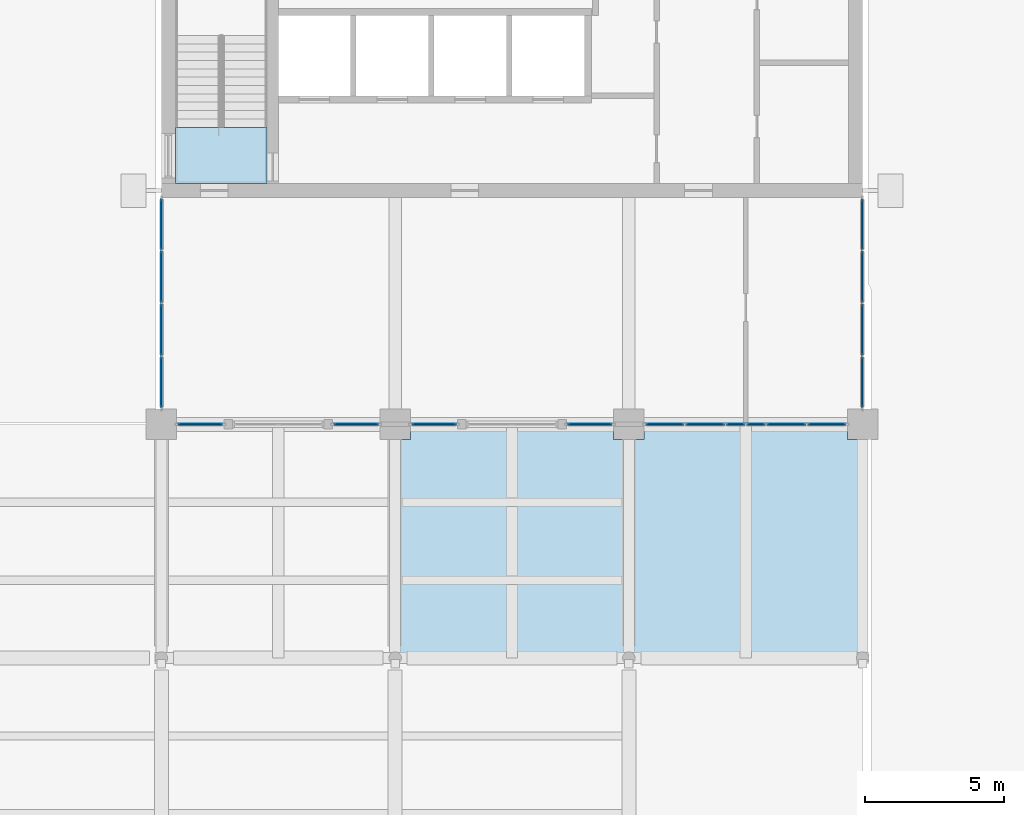
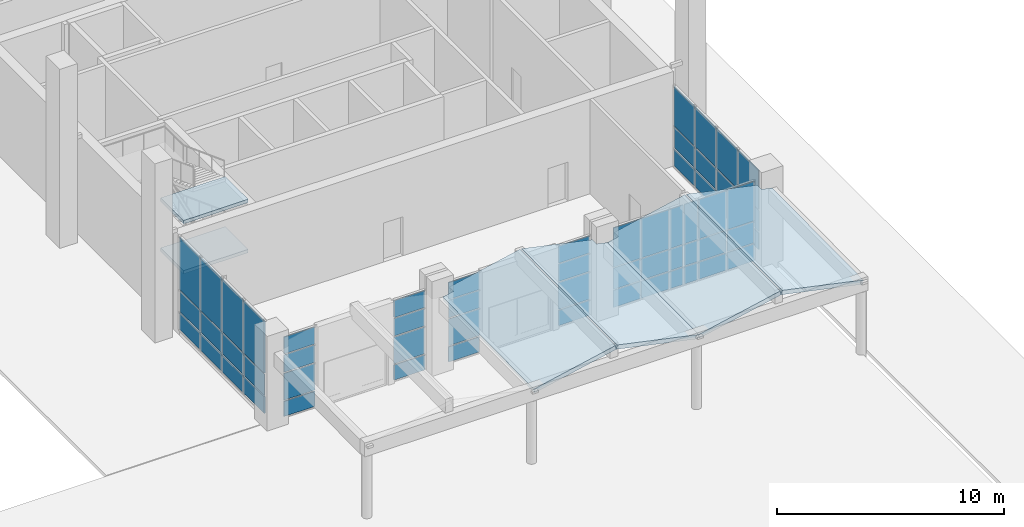
# One storey, part 13 of 74: 58 plates, 6 slabs, 8 elements without a shape of their own.
"""IFC4 building model written with IfcOpenShell, lengths in metres."""

from ifc_helpers import new_model, si_unit, direction, frame, origin, origin_2d, place, context, subcontext, project, spatial, polyline, rectangle, outline, extrude, material, layer, layer_set, type_object, element, aggregate, save


model = new_model("IFC4")

# Units and contexts
model_context = context("Model", 3, precision=1e-05, world=origin(), true_north=direction((0.0, 1.0)))
body_context = subcontext(model_context, "Body", "Model", "MODEL_VIEW")
ifc_project = project(units=[si_unit("LENGTHUNIT", "METRE"), si_unit("AREAUNIT", "SQUARE_METRE"), si_unit("VOLUMEUNIT", "CUBIC_METRE"), si_unit("PLANEANGLEUNIT", "RADIAN"), si_unit("MASSUNIT", "GRAM", prefix="KILO")], contexts=[model_context])

# Site, building, storey
site_placement = place(None, origin())
site = spatial("IfcSite", under=ifc_project, at=site_placement, CompositionType="ELEMENT")
building_placement = place(site_placement, origin())
building = spatial("IfcBuilding", under=site, at=building_placement, Name="Rulbaag Community and Learning Centre", CompositionType="ELEMENT")
storey_placement = place(building_placement, origin())
storey = spatial("IfcBuildingStorey", under=building, at=storey_placement, Name="L00", CompositionType="ELEMENT", Elevation=0.0)

# Curtain wall, plates
ifc_material_1 = material(Name="Aluminium", Category="aluminium")
ifc_layer_1 = layer(ifc_material_1, 0.14990234375)
ifc_layer_set_1 = layer_set([ifc_layer_1], Name="CW-S")
curtain_wall_type_1 = type_object("IfcCurtainWallType", Name="CW-S", PredefinedType="USERDEFINED", material=ifc_layer_set_1)
curtain_wall_1_placement = place(storey_placement, origin())
curtain_wall_1 = element("IfcCurtainWall", 1, at=curtain_wall_1_placement, inside=storey, type_object=curtain_wall_type_1, Name="GS-L00-01", ObjectType="UNITISED CURTAIN WALL", PredefinedType="USERDEFINED")
ifc_layer_2 = layer(ifc_material_1, 0.054931640625)
ifc_layer_set_2 = layer_set([ifc_layer_2], Name="CW-S-SPN")
plate_type_1 = type_object("IfcPlateType", Name="CW-S-SPN", PredefinedType="CURTAIN_PANEL", material=ifc_layer_set_2)
plate_1_placement = place(storey_placement, frame((144.199951171875, 84.0, 0.06005859375), z_axis=(0.0, 0.0, 1.0), x_axis=(1.0, 0.0, 0.0)))
plate_1 = element("IfcPlate", 2, at=plate_1_placement, type_object=plate_type_1, Name="GS spandrel panel", PredefinedType="CURTAIN_PANEL", context=body_context, shape_type="SweptSolid", body=[
    extrude(rectangle(XDim=1.580078125, YDim=0.054931640625, at=origin_2d()), origin(), (0.0, 0.0, 1.0), 0.81005859375),
])
plate_2_placement = place(storey_placement, frame((144.199951171875, 84.0, 3.43017578125), z_axis=(0.0, 0.0, 1.0), x_axis=(1.0, 0.0, 0.0)))
plate_2 = element("IfcPlate", 3, at=plate_2_placement, type_object=plate_type_1, Name="GS spandrel panel", PredefinedType="CURTAIN_PANEL", context=body_context, shape_type="SweptSolid", body=[
    extrude(rectangle(XDim=1.580078125, YDim=0.054931640625, at=origin_2d()), origin(), (0.0, 0.0, 1.0), 0.909912109375),
])

curtain_wall_2_placement = place(storey_placement, origin())
curtain_wall_2 = element("IfcCurtainWall", 4, at=curtain_wall_2_placement, inside=storey, type_object=curtain_wall_type_1, Name="GS-L00-02", ObjectType="UNITISED CURTAIN WALL", PredefinedType="USERDEFINED")
plate_3_placement = place(storey_placement, frame((149.800048828125, 84.0, 0.06005859375), z_axis=(0.0, 0.0, 1.0), x_axis=(1.0, 0.0, 0.0)))
plate_3 = element("IfcPlate", 5, at=plate_3_placement, type_object=plate_type_1, Name="GS spandrel panel", PredefinedType="CURTAIN_PANEL", context=body_context, shape_type="SweptSolid", body=[
    extrude(rectangle(XDim=1.580078125, YDim=0.054931640625, at=origin_2d()), origin(), (0.0, 0.0, 1.0), 0.81005859375),
])
plate_4_placement = place(storey_placement, frame((149.800048828125, 84.0, 3.43017578125), z_axis=(0.0, 0.0, 1.0), x_axis=(1.0, 0.0, 0.0)))
plate_4 = element("IfcPlate", 6, at=plate_4_placement, type_object=plate_type_1, Name="GS spandrel panel", PredefinedType="CURTAIN_PANEL", context=body_context, shape_type="SweptSolid", body=[
    extrude(rectangle(XDim=1.580078125, YDim=0.054931640625, at=origin_2d()), origin(), (0.0, 0.0, 1.0), 0.909912109375),
])

curtain_wall_3_placement = place(storey_placement, origin())
curtain_wall_3 = element("IfcCurtainWall", 7, at=curtain_wall_3_placement, inside=storey, type_object=curtain_wall_type_1, Name="GS-L00-03", ObjectType="UNITISED CURTAIN WALL", PredefinedType="USERDEFINED")
plate_5_placement = place(storey_placement, frame((152.60009765625, 84.0, 0.06005859375), z_axis=(0.0, 0.0, 1.0), x_axis=(1.0, 0.0, 0.0)))
plate_5 = element("IfcPlate", 8, at=plate_5_placement, type_object=plate_type_1, Name="GS spandrel panel", PredefinedType="CURTAIN_PANEL", context=body_context, shape_type="SweptSolid", body=[
    extrude(rectangle(XDim=1.580078125, YDim=0.054931640625, at=origin_2d()), origin(), (0.0, 0.0, 1.0), 0.81005859375),
])
plate_6_placement = place(storey_placement, frame((152.60009765625, 84.0, 3.43017578125), z_axis=(0.0, 0.0, 1.0), x_axis=(1.0, 0.0, 0.0)))
plate_6 = element("IfcPlate", 9, at=plate_6_placement, type_object=plate_type_1, Name="GS spandrel panel", PredefinedType="CURTAIN_PANEL", context=body_context, shape_type="SweptSolid", body=[
    extrude(rectangle(XDim=1.580078125, YDim=0.054931640625, at=origin_2d()), origin(), (0.0, 0.0, 1.0), 0.909912109375),
])

curtain_wall_4_placement = place(storey_placement, origin())
curtain_wall_4 = element("IfcCurtainWall", 10, at=curtain_wall_4_placement, inside=storey, type_object=curtain_wall_type_1, Name="GS-L00-04", ObjectType="UNITISED CURTAIN WALL", PredefinedType="USERDEFINED")
plate_7_placement = place(storey_placement, frame((158.199951171875, 84.0, 0.06005859375), z_axis=(0.0, 0.0, 1.0), x_axis=(1.0, 0.0, 0.0)))
plate_7 = element("IfcPlate", 11, at=plate_7_placement, type_object=plate_type_1, Name="GS spandrel panel", PredefinedType="CURTAIN_PANEL", context=body_context, shape_type="SweptSolid", body=[
    extrude(rectangle(XDim=1.580078125, YDim=0.054931640625, at=origin_2d()), origin(), (0.0, 0.0, 1.0), 0.81005859375),
])
plate_8_placement = place(storey_placement, frame((158.199951171875, 84.0, 3.43017578125), z_axis=(0.0, 0.0, 1.0), x_axis=(1.0, 0.0, 0.0)))
plate_8 = element("IfcPlate", 12, at=plate_8_placement, type_object=plate_type_1, Name="GS spandrel panel", PredefinedType="CURTAIN_PANEL", context=body_context, shape_type="SweptSolid", body=[
    extrude(rectangle(XDim=1.580078125, YDim=0.054931640625, at=origin_2d()), origin(), (0.0, 0.0, 1.0), 0.909912109375),
])

curtain_wall_5_placement = place(storey_placement, origin())
curtain_wall_5 = element("IfcCurtainWall", 13, at=curtain_wall_5_placement, inside=storey, type_object=curtain_wall_type_1, Name="GS-L00-05", ObjectType="UNITISED CURTAIN WALL", PredefinedType="USERDEFINED")
plate_9_placement = place(storey_placement, frame((160.89501953125, 84.0, 0.06005859375), z_axis=(0.0, 0.0, 1.0), x_axis=(1.0, 0.0, 0.0)))
plate_9 = element("IfcPlate", 14, at=plate_9_placement, type_object=plate_type_1, Name="GS spandrel panel", PredefinedType="CURTAIN_PANEL", context=body_context, shape_type="SweptSolid", body=[
    extrude(rectangle(XDim=1.3701171875, YDim=0.054931640625, at=origin_2d()), origin(), (0.0, 0.0, 1.0), 0.909912109375),
])
plate_10_placement = place(storey_placement, frame((160.89501953125, 84.0, 2.22998046875), z_axis=(0.0, 0.0, 1.0), x_axis=(1.0, 0.0, 0.0)))
plate_10 = element("IfcPlate", 15, at=plate_10_placement, type_object=plate_type_1, Name="GS spandrel panel", PredefinedType="CURTAIN_PANEL", context=body_context, shape_type="SweptSolid", body=[
    extrude(rectangle(XDim=1.3701171875, YDim=0.054931640625, at=origin_2d()), origin(), (0.0, 0.0, 1.0), 2.110107421875),
])
plate_11_placement = place(storey_placement, frame((162.340087890625, 84.0, 0.06005859375), z_axis=(0.0, 0.0, 1.0), x_axis=(1.0, 0.0, 0.0)))
plate_11 = element("IfcPlate", 16, at=plate_11_placement, type_object=plate_type_1, Name="GS spandrel panel", PredefinedType="CURTAIN_PANEL", context=body_context, shape_type="SweptSolid", body=[
    extrude(rectangle(XDim=1.39990234375, YDim=0.054931640625, at=origin_2d()), origin(), (0.0, 0.0, 1.0), 0.909912109375),
])
plate_12_placement = place(storey_placement, frame((162.340087890625, 84.0, 2.22998046875), z_axis=(0.0, 0.0, 1.0), x_axis=(1.0, 0.0, 0.0)))
plate_12 = element("IfcPlate", 17, at=plate_12_placement, type_object=plate_type_1, Name="GS spandrel panel", PredefinedType="CURTAIN_PANEL", context=body_context, shape_type="SweptSolid", body=[
    extrude(rectangle(XDim=1.39990234375, YDim=0.054931640625, at=origin_2d()), origin(), (0.0, 0.0, 1.0), 2.110107421875),
])
plate_13_placement = place(storey_placement, frame((163.43505859375, 84.0, 0.06005859375), z_axis=(0.0, 0.0, 1.0), x_axis=(1.0, 0.0, 0.0)))
plate_13 = element("IfcPlate", 18, at=plate_13_placement, type_object=plate_type_1, Name="GS spandrel panel", PredefinedType="CURTAIN_PANEL", context=body_context, shape_type="SweptSolid", body=[
    extrude(rectangle(XDim=0.669921875, YDim=0.054931640625, at=origin_2d()), origin(), (0.0, 0.0, 1.0), 0.909912109375),
])
plate_14_placement = place(storey_placement, frame((163.43505859375, 84.0, 2.22998046875), z_axis=(0.0, 0.0, 1.0), x_axis=(1.0, 0.0, 0.0)))
plate_14 = element("IfcPlate", 19, at=plate_14_placement, type_object=plate_type_1, Name="GS spandrel panel", PredefinedType="CURTAIN_PANEL", context=body_context, shape_type="SweptSolid", body=[
    extrude(rectangle(XDim=0.669921875, YDim=0.054931640625, at=origin_2d()), origin(), (0.0, 0.0, 1.0), 2.110107421875),
])
plate_15_placement = place(storey_placement, frame((164.1650390625, 84.0, 0.06005859375), z_axis=(0.0, 0.0, 1.0), x_axis=(1.0, 0.0, 0.0)))
plate_15 = element("IfcPlate", 20, at=plate_15_placement, type_object=plate_type_1, Name="GS spandrel panel", PredefinedType="CURTAIN_PANEL", context=body_context, shape_type="SweptSolid", body=[
    extrude(rectangle(XDim=0.669921875, YDim=0.054931640625, at=origin_2d()), origin(), (0.0, 0.0, 1.0), 0.909912109375),
])
plate_16_placement = place(storey_placement, frame((164.1650390625, 84.0, 2.22998046875), z_axis=(0.0, 0.0, 1.0), x_axis=(1.0, 0.0, 0.0)))
plate_16 = element("IfcPlate", 21, at=plate_16_placement, type_object=plate_type_1, Name="GS spandrel panel", PredefinedType="CURTAIN_PANEL", context=body_context, shape_type="SweptSolid", body=[
    extrude(rectangle(XDim=0.669921875, YDim=0.054931640625, at=origin_2d()), origin(), (0.0, 0.0, 1.0), 2.110107421875),
])
plate_17_placement = place(storey_placement, frame((165.260009765625, 84.0, 0.06005859375), z_axis=(0.0, 0.0, 1.0), x_axis=(1.0, 0.0, 0.0)))
plate_17 = element("IfcPlate", 22, at=plate_17_placement, type_object=plate_type_1, Name="GS spandrel panel", PredefinedType="CURTAIN_PANEL", context=body_context, shape_type="SweptSolid", body=[
    extrude(rectangle(XDim=1.39990234375, YDim=0.054931640625, at=origin_2d()), origin(), (0.0, 0.0, 1.0), 0.909912109375),
])
plate_18_placement = place(storey_placement, frame((165.260009765625, 84.0, 2.22998046875), z_axis=(0.0, 0.0, 1.0), x_axis=(1.0, 0.0, 0.0)))
plate_18 = element("IfcPlate", 23, at=plate_18_placement, type_object=plate_type_1, Name="GS spandrel panel", PredefinedType="CURTAIN_PANEL", context=body_context, shape_type="SweptSolid", body=[
    extrude(rectangle(XDim=1.39990234375, YDim=0.054931640625, at=origin_2d()), origin(), (0.0, 0.0, 1.0), 2.110107421875),
])
plate_19_placement = place(storey_placement, frame((166.705078125, 84.0, 0.06005859375), z_axis=(0.0, 0.0, 1.0), x_axis=(1.0, 0.0, 0.0)))
plate_19 = element("IfcPlate", 24, at=plate_19_placement, type_object=plate_type_1, Name="GS spandrel panel", PredefinedType="CURTAIN_PANEL", context=body_context, shape_type="SweptSolid", body=[
    extrude(rectangle(XDim=1.3701171875, YDim=0.054931640625, at=origin_2d()), origin(), (0.0, 0.0, 1.0), 0.909912109375),
])
plate_20_placement = place(storey_placement, frame((166.705078125, 84.0, 2.22998046875), z_axis=(0.0, 0.0, 1.0), x_axis=(1.0, 0.0, 0.0)))
plate_20 = element("IfcPlate", 25, at=plate_20_placement, type_object=plate_type_1, Name="GS spandrel panel", PredefinedType="CURTAIN_PANEL", context=body_context, shape_type="SweptSolid", body=[
    extrude(rectangle(XDim=1.3701171875, YDim=0.054931640625, at=origin_2d()), origin(), (0.0, 0.0, 1.0), 2.110107421875),
])

# Plate
ifc_material_2 = material(Name="Glass", Category="glass")
ifc_layer_3 = layer(ifc_material_2, 0.030029296875)
ifc_layer_set_3 = layer_set([ifc_layer_3], Name="CW-S-VIS")
plate_type_2 = type_object("IfcPlateType", Name="CW-S-VIS", PredefinedType="CURTAIN_PANEL", material=ifc_layer_set_3)
plate_21_placement = place(storey_placement, frame((144.199951171875, 84.0, 0.929931640625), z_axis=(0.0, 0.0, 1.0), x_axis=(1.0, 0.0, 0.0)))
plate_21 = element("IfcPlate", 26, at=plate_21_placement, type_object=plate_type_2, Name="GS vision panel", PredefinedType="CURTAIN_PANEL", context=body_context, shape_type="SweptSolid", body=[
    extrude(rectangle(XDim=1.580078125, YDim=0.030029296875, at=origin_2d()), origin(), (0.0, 0.0, 1.0), 1.43994140625),
])

plate_22_placement = place(storey_placement, frame((144.199951171875, 84.0, 2.429931640625), z_axis=(0.0, 0.0, 1.0), x_axis=(1.0, 0.0, 0.0)))
plate_22 = element("IfcPlate", 27, at=plate_22_placement, type_object=plate_type_2, Name="GS vision panel", PredefinedType="CURTAIN_PANEL", context=body_context, shape_type="SweptSolid", body=[
    extrude(rectangle(XDim=1.580078125, YDim=0.030029296875, at=origin_2d()), origin(), (0.0, 0.0, 1.0), 0.93994140625),
])

aggregate(curtain_wall_1, [plate_1, plate_21, plate_22, plate_2])

plate_23_placement = place(storey_placement, frame((149.800048828125, 84.0, 0.929931640625), z_axis=(0.0, 0.0, 1.0), x_axis=(1.0, 0.0, 0.0)))
plate_23 = element("IfcPlate", 28, at=plate_23_placement, type_object=plate_type_2, Name="GS vision panel", PredefinedType="CURTAIN_PANEL", context=body_context, shape_type="SweptSolid", body=[
    extrude(rectangle(XDim=1.580078125, YDim=0.030029296875, at=origin_2d()), origin(), (0.0, 0.0, 1.0), 1.43994140625),
])

plate_24_placement = place(storey_placement, frame((149.800048828125, 84.0, 2.429931640625), z_axis=(0.0, 0.0, 1.0), x_axis=(1.0, 0.0, 0.0)))
plate_24 = element("IfcPlate", 29, at=plate_24_placement, type_object=plate_type_2, Name="GS vision panel", PredefinedType="CURTAIN_PANEL", context=body_context, shape_type="SweptSolid", body=[
    extrude(rectangle(XDim=1.580078125, YDim=0.030029296875, at=origin_2d()), origin(), (0.0, 0.0, 1.0), 0.93994140625),
])

aggregate(curtain_wall_2, [plate_3, plate_23, plate_24, plate_4])

plate_25_placement = place(storey_placement, frame((152.60009765625, 84.0, 0.929931640625), z_axis=(0.0, 0.0, 1.0), x_axis=(1.0, 0.0, 0.0)))
plate_25 = element("IfcPlate", 30, at=plate_25_placement, type_object=plate_type_2, Name="GS vision panel", PredefinedType="CURTAIN_PANEL", context=body_context, shape_type="SweptSolid", body=[
    extrude(rectangle(XDim=1.580078125, YDim=0.030029296875, at=origin_2d()), origin(), (0.0, 0.0, 1.0), 1.43994140625),
])

plate_26_placement = place(storey_placement, frame((152.60009765625, 84.0, 2.429931640625), z_axis=(0.0, 0.0, 1.0), x_axis=(1.0, 0.0, 0.0)))
plate_26 = element("IfcPlate", 31, at=plate_26_placement, type_object=plate_type_2, Name="GS vision panel", PredefinedType="CURTAIN_PANEL", context=body_context, shape_type="SweptSolid", body=[
    extrude(rectangle(XDim=1.580078125, YDim=0.030029296875, at=origin_2d()), origin(), (0.0, 0.0, 1.0), 0.93994140625),
])

aggregate(curtain_wall_3, [plate_5, plate_25, plate_26, plate_6])

plate_27_placement = place(storey_placement, frame((158.199951171875, 84.0, 0.929931640625), z_axis=(0.0, 0.0, 1.0), x_axis=(1.0, 0.0, 0.0)))
plate_27 = element("IfcPlate", 32, at=plate_27_placement, type_object=plate_type_2, Name="GS vision panel", PredefinedType="CURTAIN_PANEL", context=body_context, shape_type="SweptSolid", body=[
    extrude(rectangle(XDim=1.580078125, YDim=0.030029296875, at=origin_2d()), origin(), (0.0, 0.0, 1.0), 1.43994140625),
])

plate_28_placement = place(storey_placement, frame((158.199951171875, 84.0, 2.429931640625), z_axis=(0.0, 0.0, 1.0), x_axis=(1.0, 0.0, 0.0)))
plate_28 = element("IfcPlate", 33, at=plate_28_placement, type_object=plate_type_2, Name="GS vision panel", PredefinedType="CURTAIN_PANEL", context=body_context, shape_type="SweptSolid", body=[
    extrude(rectangle(XDim=1.580078125, YDim=0.030029296875, at=origin_2d()), origin(), (0.0, 0.0, 1.0), 0.93994140625),
])

aggregate(curtain_wall_4, [plate_7, plate_27, plate_28, plate_8])

plate_29_placement = place(storey_placement, frame((160.89501953125, 84.0, 1.0302734375), z_axis=(0.0, 0.0, 1.0), x_axis=(1.0, 0.0, 0.0)))
plate_29 = element("IfcPlate", 34, at=plate_29_placement, type_object=plate_type_2, Name="GS vision panel", PredefinedType="CURTAIN_PANEL", context=body_context, shape_type="SweptSolid", body=[
    extrude(rectangle(XDim=1.3701171875, YDim=0.030029296875, at=origin_2d()), origin(), (0.0, 0.0, 1.0), 1.139892578125),
])

plate_30_placement = place(storey_placement, frame((162.340087890625, 84.0, 1.0302734375), z_axis=(0.0, 0.0, 1.0), x_axis=(1.0, 0.0, 0.0)))
plate_30 = element("IfcPlate", 35, at=plate_30_placement, type_object=plate_type_2, Name="GS vision panel", PredefinedType="CURTAIN_PANEL", context=body_context, shape_type="SweptSolid", body=[
    extrude(rectangle(XDim=1.39990234375, YDim=0.030029296875, at=origin_2d()), origin(), (0.0, 0.0, 1.0), 1.139892578125),
])

plate_31_placement = place(storey_placement, frame((163.43505859375, 84.0, 1.0302734375), z_axis=(0.0, 0.0, 1.0), x_axis=(1.0, 0.0, 0.0)))
plate_31 = element("IfcPlate", 36, at=plate_31_placement, type_object=plate_type_2, Name="GS vision panel", PredefinedType="CURTAIN_PANEL", context=body_context, shape_type="SweptSolid", body=[
    extrude(rectangle(XDim=0.669921875, YDim=0.030029296875, at=origin_2d()), origin(), (0.0, 0.0, 1.0), 1.139892578125),
])

plate_32_placement = place(storey_placement, frame((164.1650390625, 84.0, 1.0302734375), z_axis=(0.0, 0.0, 1.0), x_axis=(1.0, 0.0, 0.0)))
plate_32 = element("IfcPlate", 37, at=plate_32_placement, type_object=plate_type_2, Name="GS vision panel", PredefinedType="CURTAIN_PANEL", context=body_context, shape_type="SweptSolid", body=[
    extrude(rectangle(XDim=0.669921875, YDim=0.030029296875, at=origin_2d()), origin(), (0.0, 0.0, 1.0), 1.139892578125),
])

plate_33_placement = place(storey_placement, frame((165.260009765625, 84.0, 1.0302734375), z_axis=(0.0, 0.0, 1.0), x_axis=(1.0, 0.0, 0.0)))
plate_33 = element("IfcPlate", 38, at=plate_33_placement, type_object=plate_type_2, Name="GS vision panel", PredefinedType="CURTAIN_PANEL", context=body_context, shape_type="SweptSolid", body=[
    extrude(rectangle(XDim=1.39990234375, YDim=0.030029296875, at=origin_2d()), origin(), (0.0, 0.0, 1.0), 1.139892578125),
])

plate_34_placement = place(storey_placement, frame((166.705078125, 84.0, 1.0302734375), z_axis=(0.0, 0.0, 1.0), x_axis=(1.0, 0.0, 0.0)))
plate_34 = element("IfcPlate", 39, at=plate_34_placement, type_object=plate_type_2, Name="GS vision panel", PredefinedType="CURTAIN_PANEL", context=body_context, shape_type="SweptSolid", body=[
    extrude(rectangle(XDim=1.3701171875, YDim=0.030029296875, at=origin_2d()), origin(), (0.0, 0.0, 1.0), 1.139892578125),
])

aggregate(curtain_wall_5, [plate_9, plate_29, plate_10, plate_11, plate_30, plate_12, plate_13, plate_31, plate_14, plate_15, plate_32, plate_16, plate_17, plate_33, plate_18, plate_19, plate_34, plate_20])

# Curtain wall, plates
ifc_layer_4 = layer(ifc_material_1, 0.14990234375)
ifc_layer_set_4 = layer_set([ifc_layer_4], Name="CW-T")
curtain_wall_type_2 = type_object("IfcCurtainWallType", Name="CW-T", PredefinedType="USERDEFINED", material=ifc_layer_set_4)
curtain_wall_6_placement = place(storey_placement, origin())
curtain_wall_6 = element("IfcCurtainWall", 40, at=curtain_wall_6_placement, inside=storey, type_object=curtain_wall_type_2, Name="GT-L00-02", ObjectType="UNITISED CURTAIN WALL", PredefinedType="USERDEFINED")
ifc_layer_5 = layer(ifc_material_1, 0.06005859375)
ifc_layer_set_5 = layer_set([ifc_layer_5], Name="CW-T-SPN")
plate_type_3 = type_object("IfcPlateType", Name="CW-T-SPN", PredefinedType="CURTAIN_PANEL", material=ifc_layer_set_5)
plate_35_placement = place(storey_placement, frame((142.800048828125, 85.516357421875, 0.06494140625), z_axis=(0.0, 0.0, 1.0), x_axis=(0.0, 1.0, 0.0)))
plate_35 = element("IfcPlate", 41, at=plate_35_placement, type_object=plate_type_3, Name="GT spandrel panel", PredefinedType="CURTAIN_PANEL", context=body_context, shape_type="SweptSolid", body=[
    extrude(rectangle(XDim=1.802490234375, YDim=0.06005859375, at=origin_2d()), origin(), (0.0, 0.0, 1.0), 0.902587890625),
])
plate_36_placement = place(storey_placement, frame((142.800048828125, 85.516357421875, 2.232421875), z_axis=(0.0, 0.0, 1.0), x_axis=(0.0, 1.0, 0.0)))
plate_36 = element("IfcPlate", 42, at=plate_36_placement, type_object=plate_type_3, Name="GT spandrel panel", PredefinedType="CURTAIN_PANEL", context=body_context, shape_type="SweptSolid", body=[
    extrude(rectangle(XDim=1.802490234375, YDim=0.06005859375, at=origin_2d()), origin(), (0.0, 0.0, 1.0), 2.802490234375),
])
plate_37_placement = place(storey_placement, frame((142.800048828125, 87.39990234375, 0.06494140625), z_axis=(0.0, 0.0, 1.0), x_axis=(0.0, 1.0, 0.0)))
plate_37 = element("IfcPlate", 43, at=plate_37_placement, type_object=plate_type_3, Name="GT spandrel panel", PredefinedType="CURTAIN_PANEL", context=body_context, shape_type="SweptSolid", body=[
    extrude(rectangle(XDim=1.8349609375, YDim=0.06005859375, at=origin_2d()), origin(), (0.0, 0.0, 1.0), 0.902587890625),
])
plate_38_placement = place(storey_placement, frame((142.800048828125, 87.39990234375, 2.232421875), z_axis=(0.0, 0.0, 1.0), x_axis=(0.0, 1.0, 0.0)))
plate_38 = element("IfcPlate", 44, at=plate_38_placement, type_object=plate_type_3, Name="GT spandrel panel", PredefinedType="CURTAIN_PANEL", context=body_context, shape_type="SweptSolid", body=[
    extrude(rectangle(XDim=1.8349609375, YDim=0.06005859375, at=origin_2d()), origin(), (0.0, 0.0, 1.0), 2.802490234375),
])
plate_39_placement = place(storey_placement, frame((142.800048828125, 89.300048828125, 0.06494140625), z_axis=(0.0, 0.0, 1.0), x_axis=(0.0, 1.0, 0.0)))
plate_39 = element("IfcPlate", 45, at=plate_39_placement, type_object=plate_type_3, Name="GT spandrel panel", PredefinedType="CURTAIN_PANEL", context=body_context, shape_type="SweptSolid", body=[
    extrude(rectangle(XDim=1.8349609375, YDim=0.06005859375, at=origin_2d()), origin(), (0.0, 0.0, 1.0), 0.902587890625),
])
plate_40_placement = place(storey_placement, frame((142.800048828125, 89.300048828125, 2.232421875), z_axis=(0.0, 0.0, 1.0), x_axis=(0.0, 1.0, 0.0)))
plate_40 = element("IfcPlate", 46, at=plate_40_placement, type_object=plate_type_3, Name="GT spandrel panel", PredefinedType="CURTAIN_PANEL", context=body_context, shape_type="SweptSolid", body=[
    extrude(rectangle(XDim=1.8349609375, YDim=0.06005859375, at=origin_2d()), origin(), (0.0, 0.0, 1.0), 2.802490234375),
])
plate_41_placement = place(storey_placement, frame((142.800048828125, 91.183837890625, 0.06494140625), z_axis=(0.0, 0.0, 1.0), x_axis=(0.0, 1.0, 0.0)))
plate_41 = element("IfcPlate", 47, at=plate_41_placement, type_object=plate_type_3, Name="GT spandrel panel", PredefinedType="CURTAIN_PANEL", context=body_context, shape_type="SweptSolid", body=[
    extrude(rectangle(XDim=1.802490234375, YDim=0.06005859375, at=origin_2d()), origin(), (0.0, 0.0, 1.0), 0.902587890625),
])
plate_42_placement = place(storey_placement, frame((142.800048828125, 91.183837890625, 2.232421875), z_axis=(0.0, 0.0, 1.0), x_axis=(0.0, 1.0, 0.0)))
plate_42 = element("IfcPlate", 48, at=plate_42_placement, type_object=plate_type_3, Name="GT spandrel panel", PredefinedType="CURTAIN_PANEL", context=body_context, shape_type="SweptSolid", body=[
    extrude(rectangle(XDim=1.802490234375, YDim=0.06005859375, at=origin_2d()), origin(), (0.0, 0.0, 1.0), 2.802490234375),
])

curtain_wall_7_placement = place(storey_placement, origin())
curtain_wall_7 = element("IfcCurtainWall", 49, at=curtain_wall_7_placement, inside=storey, type_object=curtain_wall_type_2, Name="GT-L00-03", ObjectType="UNITISED CURTAIN WALL", PredefinedType="USERDEFINED")
plate_43_placement = place(storey_placement, frame((168.0, 85.516357421875, 0.06494140625), z_axis=(0.0, 0.0, 1.0), x_axis=(0.0, 1.0, 0.0)))
plate_43 = element("IfcPlate", 50, at=plate_43_placement, type_object=plate_type_3, Name="GT spandrel panel", PredefinedType="CURTAIN_PANEL", context=body_context, shape_type="SweptSolid", body=[
    extrude(rectangle(XDim=1.802490234375, YDim=0.06005859375, at=origin_2d()), origin(), (0.0, 0.0, 1.0), 0.902587890625),
])
plate_44_placement = place(storey_placement, frame((168.0, 85.516357421875, 2.232421875), z_axis=(0.0, 0.0, 1.0), x_axis=(0.0, 1.0, 0.0)))
plate_44 = element("IfcPlate", 51, at=plate_44_placement, type_object=plate_type_3, Name="GT spandrel panel", PredefinedType="CURTAIN_PANEL", context=body_context, shape_type="SweptSolid", body=[
    extrude(rectangle(XDim=1.802490234375, YDim=0.06005859375, at=origin_2d()), origin(), (0.0, 0.0, 1.0), 2.1025390625),
])
plate_45_placement = place(storey_placement, frame((168.0, 87.39990234375, 0.06494140625), z_axis=(0.0, 0.0, 1.0), x_axis=(0.0, 1.0, 0.0)))
plate_45 = element("IfcPlate", 52, at=plate_45_placement, type_object=plate_type_3, Name="GT spandrel panel", PredefinedType="CURTAIN_PANEL", context=body_context, shape_type="SweptSolid", body=[
    extrude(rectangle(XDim=1.8349609375, YDim=0.06005859375, at=origin_2d()), origin(), (0.0, 0.0, 1.0), 0.902587890625),
])
plate_46_placement = place(storey_placement, frame((168.0, 87.39990234375, 2.232421875), z_axis=(0.0, 0.0, 1.0), x_axis=(0.0, 1.0, 0.0)))
plate_46 = element("IfcPlate", 53, at=plate_46_placement, type_object=plate_type_3, Name="GT spandrel panel", PredefinedType="CURTAIN_PANEL", context=body_context, shape_type="SweptSolid", body=[
    extrude(rectangle(XDim=1.8349609375, YDim=0.06005859375, at=origin_2d()), origin(), (0.0, 0.0, 1.0), 2.1025390625),
])
plate_47_placement = place(storey_placement, frame((168.0, 89.300048828125, 0.06494140625), z_axis=(0.0, 0.0, 1.0), x_axis=(0.0, 1.0, 0.0)))
plate_47 = element("IfcPlate", 54, at=plate_47_placement, type_object=plate_type_3, Name="GT spandrel panel", PredefinedType="CURTAIN_PANEL", context=body_context, shape_type="SweptSolid", body=[
    extrude(rectangle(XDim=1.8349609375, YDim=0.06005859375, at=origin_2d()), origin(), (0.0, 0.0, 1.0), 0.902587890625),
])
plate_48_placement = place(storey_placement, frame((168.0, 89.300048828125, 2.232421875), z_axis=(0.0, 0.0, 1.0), x_axis=(0.0, 1.0, 0.0)))
plate_48 = element("IfcPlate", 55, at=plate_48_placement, type_object=plate_type_3, Name="GT spandrel panel", PredefinedType="CURTAIN_PANEL", context=body_context, shape_type="SweptSolid", body=[
    extrude(rectangle(XDim=1.8349609375, YDim=0.06005859375, at=origin_2d()), origin(), (0.0, 0.0, 1.0), 2.1025390625),
])
plate_49_placement = place(storey_placement, frame((168.0, 91.183837890625, 0.06494140625), z_axis=(0.0, 0.0, 1.0), x_axis=(0.0, 1.0, 0.0)))
plate_49 = element("IfcPlate", 56, at=plate_49_placement, type_object=plate_type_3, Name="GT spandrel panel", PredefinedType="CURTAIN_PANEL", context=body_context, shape_type="SweptSolid", body=[
    extrude(rectangle(XDim=1.802490234375, YDim=0.06005859375, at=origin_2d()), origin(), (0.0, 0.0, 1.0), 0.902587890625),
])
plate_50_placement = place(storey_placement, frame((168.0, 91.183837890625, 2.232421875), z_axis=(0.0, 0.0, 1.0), x_axis=(0.0, 1.0, 0.0)))
plate_50 = element("IfcPlate", 57, at=plate_50_placement, type_object=plate_type_3, Name="GT spandrel panel", PredefinedType="CURTAIN_PANEL", context=body_context, shape_type="SweptSolid", body=[
    extrude(rectangle(XDim=1.802490234375, YDim=0.06005859375, at=origin_2d()), origin(), (0.0, 0.0, 1.0), 2.1025390625),
])

# Plate
ifc_layer_6 = layer(ifc_material_2, 0.028076171875)
ifc_layer_set_6 = layer_set([ifc_layer_6], Name="CW-T-VIS")
plate_type_4 = type_object("IfcPlateType", Name="CW-T-VIS", PredefinedType="CURTAIN_PANEL", material=ifc_layer_set_6)
plate_51_placement = place(storey_placement, frame((142.800048828125, 85.516357421875, 1.03271484375), z_axis=(0.0, 0.0, 1.0), x_axis=(0.0, 1.0, 0.0)))
plate_51 = element("IfcPlate", 58, at=plate_51_placement, type_object=plate_type_4, Name="GT vision panel", PredefinedType="CURTAIN_PANEL", context=body_context, shape_type="SweptSolid", body=[
    extrude(rectangle(XDim=1.802490234375, YDim=0.028076171875, at=origin_2d()), origin(), (0.0, 0.0, 1.0), 1.135009765625),
])

plate_52_placement = place(storey_placement, frame((142.800048828125, 87.39990234375, 1.03271484375), z_axis=(0.0, 0.0, 1.0), x_axis=(0.0, 1.0, 0.0)))
plate_52 = element("IfcPlate", 59, at=plate_52_placement, type_object=plate_type_4, Name="GT vision panel", PredefinedType="CURTAIN_PANEL", context=body_context, shape_type="SweptSolid", body=[
    extrude(rectangle(XDim=1.8349609375, YDim=0.028076171875, at=origin_2d()), origin(), (0.0, 0.0, 1.0), 1.135009765625),
])

plate_53_placement = place(storey_placement, frame((142.800048828125, 89.300048828125, 1.03271484375), z_axis=(0.0, 0.0, 1.0), x_axis=(0.0, 1.0, 0.0)))
plate_53 = element("IfcPlate", 60, at=plate_53_placement, type_object=plate_type_4, Name="GT vision panel", PredefinedType="CURTAIN_PANEL", context=body_context, shape_type="SweptSolid", body=[
    extrude(rectangle(XDim=1.8349609375, YDim=0.028076171875, at=origin_2d()), origin(), (0.0, 0.0, 1.0), 1.135009765625),
])

plate_54_placement = place(storey_placement, frame((142.800048828125, 91.183837890625, 1.03271484375), z_axis=(0.0, 0.0, 1.0), x_axis=(0.0, 1.0, 0.0)))
plate_54 = element("IfcPlate", 61, at=plate_54_placement, type_object=plate_type_4, Name="GT vision panel", PredefinedType="CURTAIN_PANEL", context=body_context, shape_type="SweptSolid", body=[
    extrude(rectangle(XDim=1.802490234375, YDim=0.028076171875, at=origin_2d()), origin(), (0.0, 0.0, 1.0), 1.135009765625),
])

aggregate(curtain_wall_6, [plate_35, plate_51, plate_36, plate_37, plate_52, plate_38, plate_39, plate_53, plate_40, plate_41, plate_54, plate_42])

plate_55_placement = place(storey_placement, frame((168.0, 85.516357421875, 1.03271484375), z_axis=(0.0, 0.0, 1.0), x_axis=(0.0, 1.0, 0.0)))
plate_55 = element("IfcPlate", 62, at=plate_55_placement, type_object=plate_type_4, Name="GT vision panel", PredefinedType="CURTAIN_PANEL", context=body_context, shape_type="SweptSolid", body=[
    extrude(rectangle(XDim=1.802490234375, YDim=0.028076171875, at=origin_2d()), origin(), (0.0, 0.0, 1.0), 1.135009765625),
])

plate_56_placement = place(storey_placement, frame((168.0, 87.39990234375, 1.03271484375), z_axis=(0.0, 0.0, 1.0), x_axis=(0.0, 1.0, 0.0)))
plate_56 = element("IfcPlate", 63, at=plate_56_placement, type_object=plate_type_4, Name="GT vision panel", PredefinedType="CURTAIN_PANEL", context=body_context, shape_type="SweptSolid", body=[
    extrude(rectangle(XDim=1.8349609375, YDim=0.028076171875, at=origin_2d()), origin(), (0.0, 0.0, 1.0), 1.135009765625),
])

plate_57_placement = place(storey_placement, frame((168.0, 89.300048828125, 1.03271484375), z_axis=(0.0, 0.0, 1.0), x_axis=(0.0, 1.0, 0.0)))
plate_57 = element("IfcPlate", 64, at=plate_57_placement, type_object=plate_type_4, Name="GT vision panel", PredefinedType="CURTAIN_PANEL", context=body_context, shape_type="SweptSolid", body=[
    extrude(rectangle(XDim=1.8349609375, YDim=0.028076171875, at=origin_2d()), origin(), (0.0, 0.0, 1.0), 1.135009765625),
])

plate_58_placement = place(storey_placement, frame((168.0, 91.183837890625, 1.03271484375), z_axis=(0.0, 0.0, 1.0), x_axis=(0.0, 1.0, 0.0)))
plate_58 = element("IfcPlate", 65, at=plate_58_placement, type_object=plate_type_4, Name="GT vision panel", PredefinedType="CURTAIN_PANEL", context=body_context, shape_type="SweptSolid", body=[
    extrude(rectangle(XDim=1.802490234375, YDim=0.028076171875, at=origin_2d()), origin(), (0.0, 0.0, 1.0), 1.135009765625),
])

aggregate(curtain_wall_7, [plate_43, plate_55, plate_44, plate_45, plate_56, plate_46, plate_47, plate_57, plate_48, plate_49, plate_58, plate_50])

# Stair, slabs
ifc_material_3 = material(Name="Concrete M40", Category="concrete")
stair_type = type_object("IfcStairType", Name="ST-1650 STAIR 1650 WIDE", PredefinedType="HALF_TURN_STAIR", material=ifc_material_3)
stair_placement = place(storey_placement, origin())
stair = element("IfcStair", 66, at=stair_placement, inside=storey, type_object=stair_type, Name="Stair ST1 L00", PredefinedType="HALF_TURN_STAIR")
ifc_layer_7 = layer(ifc_material_3, 0.179931640625)
ifc_layer_set_7 = layer_set([ifc_layer_7], Name="LN-180 LANDING 180 Concrete M40")
slab_type_1 = type_object("IfcSlabType", Name="LN-180 LANDING 180 Concrete M40", PredefinedType="LANDING", material=ifc_layer_set_7)
slab_1_placement = place(storey_placement, frame((0.0, 0.0, 2.52001953125)))
slab_1 = element("IfcSlab", 67, at=slab_1_placement, type_object=slab_type_1, Name="ST1 landing 2", PredefinedType="LANDING", context=body_context, shape_type="SweptSolid", body=[
    extrude(outline(polyline([(143.300048828125, 92.64990234375), (143.300048828125, 94.675048828125), (146.60009765625, 94.675048828125), (146.60009765625, 92.64990234375), (143.300048828125, 92.64990234375)])), origin(), (0.0, 0.0, 1.0), 0.179931640625),
])
slab_2_placement = place(storey_placement, frame((0.0, 0.0, 5.219970703125)))
slab_2 = element("IfcSlab", 68, at=slab_2_placement, type_object=slab_type_1, Name="ST1 landing 4", PredefinedType="LANDING", context=body_context, shape_type="SweptSolid", body=[
    extrude(outline(polyline([(143.300048828125, 92.64990234375), (143.300048828125, 94.675048828125), (146.60009765625, 94.675048828125), (146.60009765625, 92.64990234375), (143.300048828125, 92.64990234375)])), origin(), (0.0, 0.0, 1.0), 0.179931640625),
])
aggregate(stair, [slab_1, slab_2])

# Slabs
ifc_layer_8 = layer(ifc_material_3, 0.22509765625)
ifc_layer_set_8 = layer_set([ifc_layer_8], Name="PP1 Porch folded plate 225 Concrete M40")
slab_type_2 = type_object("IfcSlabType", Name="PP1 Porch folded plate 225 Concrete M40", PredefinedType="ROOF", material=ifc_layer_set_8)
slab_3_placement = place(storey_placement, frame((155.352783203125, 83.824951171875, 4.989990234375), z_axis=(-0.209535062254, -0.009804093659, 0.977751981554), x_axis=(1.65648e-07, -0.999949731992, -0.010026638966)))
element("IfcSlab", 69, at=slab_3_placement, inside=storey, type_object=slab_type_2, Name="SL-PORCH-T3", PredefinedType="ROOF", context=body_context, shape_type="SweptSolid", body=[
    extrude(outline(polyline([(0.0, 0.0), (8.425472294530438, 0.0), (8.434394238222072, -4.247098194584453), (0.3839422597471212, -4.2471288608620155), (0.3827600103779943, -3.68458337663369), (0.007739694322506077, -3.6845527103561264), (0.0, 0.0)])), origin(), (0.0, 0.0, -1.0), 0.22509765625),
])
slab_4_placement = place(storey_placement, frame((159.60009765625, 75.39990234375, 4.015625), z_axis=(0.209523214723, -0.009804523651, 0.977754516128), x_axis=(-0.977801514973, -1.60164e-07, 0.209533284509)))
element("IfcSlab", 70, at=slab_4_placement, inside=storey, type_object=slab_type_2, Name="SL-PORCH-T4", PredefinedType="ROOF", context=body_context, shape_type="SweptSolid", body=[
    extrude(outline(polyline([(0.0, 0.0), (4.247346287410977, 0.0), (4.265044771138461, -8.425453705855652), (0.5802452097165632, -8.425454273829871), (0.5794267803853725, -8.050434849517725), (0.016880054396293233, -8.050434281543508), (0.0, 0.0)])), origin(), (0.0, 0.0, -1.0), 0.22509765625),
])
slab_5_placement = place(storey_placement, frame((163.7529296875, 83.824951171875, 4.989990234375), z_axis=(-0.209534528652, -0.009807149201, 0.977752065264), x_axis=(8.05681e-07, -0.99994970204, -0.010029625558)))
element("IfcSlab", 71, at=slab_5_placement, inside=storey, type_object=slab_type_2, Name="SL-PORCH-T5", PredefinedType="ROOF", context=body_context, shape_type="SweptSolid", body=[
    extrude(outline(polyline([(0.0, 0.0), (8.425472294470786, 0.0), (8.43439423795843, -4.247098194621845), (0.3839422599775966, -4.247128860821314), (0.3827600102825431, -3.684822097623851), (0.0077396937925885865, -3.6847914314243826), (0.0, 0.0)])), origin(), (0.0, 0.0, -1.0), 0.22509765625),
])
slab_6_placement = place(storey_placement, frame((168.0, 75.39990234375, 4.015625), z_axis=(0.209535062254, -0.009804093659, 0.977751981554), x_axis=(-0.977798976156, -1.60866e-07, 0.20954513172)))
element("IfcSlab", 72, at=slab_6_placement, inside=storey, type_object=slab_type_2, Name="SL-PORCH-T6", PredefinedType="ROOF", context=body_context, shape_type="SweptSolid", body=[
    extrude(outline(polyline([(0.0, 0.0), (4.2471075658054325, 3.469446951953614e-18), (4.264807044385264, -8.425453703769191), (0.5802462051181702, -8.425454205293315), (0.5794277297720014, -8.050434781139197), (0.016881003233662848, -8.050434279615073), (0.0, 0.0)])), origin(), (0.0, 0.0, -1.0), 0.22509765625),
])

save(model, "model.ifc")
